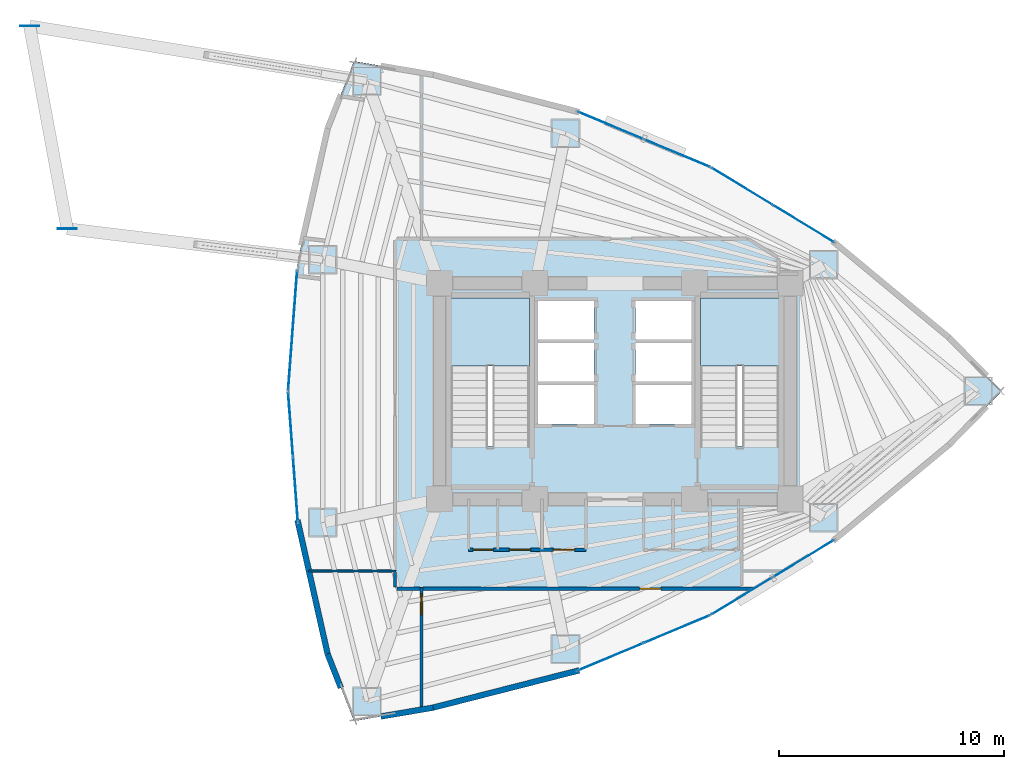
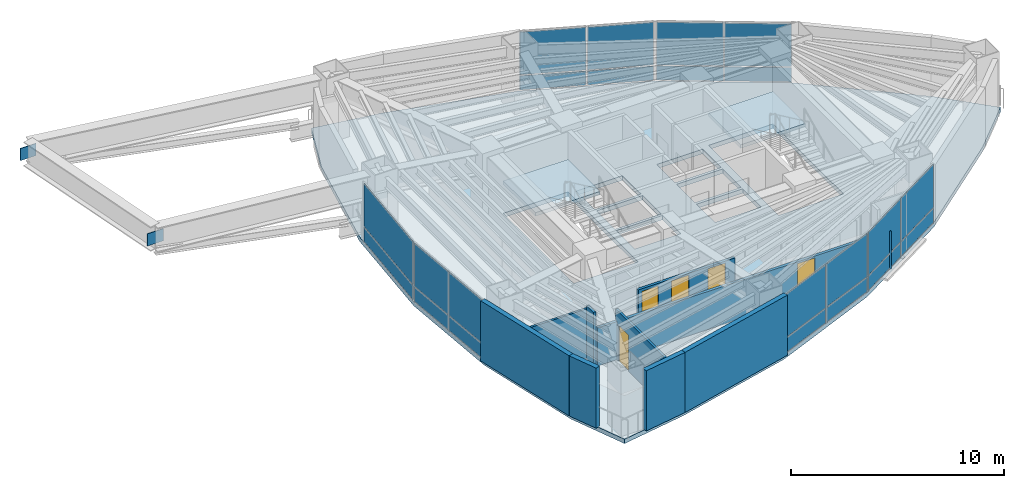
# One storey, part 12 of 17: 24 plates, 10 walls, 5 doors, 3 slabs, 5 openings, 8 elements without a shape of their own.
"""IFC4 building model written with IfcOpenShell, lengths in metres."""

from ifc_helpers import new_model, si_unit, direction, frame, frame_2d, origin, origin_2d, place, context, subcontext, project, spatial, polyline, rectangle, outline, extrude, material, layer, layer_set, type_object, element, fill, aggregate, save


model = new_model("IFC4")

# Units and contexts
model_context = context("Model", 3, precision=1e-05, world=origin(), true_north=direction((0.0, 1.0)))
body_context = subcontext(model_context, "Body", "Model", "MODEL_VIEW")
ifc_project = project(units=[si_unit("LENGTHUNIT", "METRE"), si_unit("AREAUNIT", "SQUARE_METRE"), si_unit("VOLUMEUNIT", "CUBIC_METRE"), si_unit("PLANEANGLEUNIT", "RADIAN"), si_unit("MASSUNIT", "GRAM", prefix="KILO")], contexts=[model_context])

# Site, building, storey
site_placement = place(None, origin())
site = spatial("IfcSite", under=ifc_project, at=site_placement, CompositionType="ELEMENT")
building_placement = place(site_placement, origin())
building = spatial("IfcBuilding", under=site, at=building_placement, Name="Menara Vayukalpa", CompositionType="ELEMENT")
storey_placement = place(building_placement, frame((0.0, 0.0, 100.260009765625)))
storey = spatial("IfcBuildingStorey", under=building, at=storey_placement, Name="L24", CompositionType="ELEMENT", Elevation=100.260009765625)

# Curtain wall, plates
ifc_material_1 = material(Name="Anodised Terracotta Aluminium Alloy 6063-T6", Category="masonry")
ifc_layer_1 = layer(ifc_material_1, 0.14990234375)
ifc_layer_set_1 = layer_set([ifc_layer_1], Name="Anodised Terracotta Aluminium Alloy 6063-T6")
curtain_wall_type = type_object("IfcCurtainWallType", Name="CW-CW3", PredefinedType="USERDEFINED", material=ifc_layer_set_1)
curtain_wall_1_placement = place(storey_placement, origin())
curtain_wall_1 = element("IfcCurtainWall", 1, at=curtain_wall_1_placement, inside=storey, type_object=curtain_wall_type, Name="L24 Mid Rise Terracotta Ribbon Curtain Wall CW3 04", ObjectType="UNITISED", PredefinedType="USERDEFINED")
ifc_material_2 = material(Name="Low-E Double Glazing", Category="glass")
ifc_layer_2 = layer(ifc_material_2, 0.030029296875)
ifc_layer_set_2 = layer_set([ifc_layer_2], Name="Low-E Double Glazing")
plate_type_1 = type_object("IfcPlateType", Name="CWP-CW3", PredefinedType="CURTAIN_PANEL", material=ifc_layer_set_2)
plate_1_placement = place(storey_placement, frame((33.9921875, 29.44873046875, 0.06494140625), z_axis=(0.0, 0.0, 1.0), x_axis=(-0.854663123674, 0.519182959112, 0.0)))
plate_1 = element("IfcPlate", 2, at=plate_1_placement, type_object=plate_type_1, Name="CW3 panel 1.1", PredefinedType="CURTAIN_PANEL", context=body_context, shape_type="SweptSolid", body=[
    extrude(rectangle(XDim=3.1318359375, YDim=0.030029296875, at=origin_2d()), origin(), (0.0, 0.0, 1.0), 0.802490234375),
])
plate_2_placement = place(storey_placement, frame((33.9921875, 29.44873046875, 0.9326171875), z_axis=(0.0, 0.0, 1.0), x_axis=(-0.854663123674, 0.519182959112, 0.0)))
plate_2 = element("IfcPlate", 3, at=plate_2_placement, type_object=plate_type_1, Name="CW3 panel 1.2", PredefinedType="CURTAIN_PANEL", context=body_context, shape_type="SweptSolid", body=[
    extrude(rectangle(XDim=3.1318359375, YDim=0.030029296875, at=origin_2d()), origin(), (0.0, 0.0, 1.0), 2.4423828125),
])
plate_3_placement = place(storey_placement, frame((31.259765625, 31.1083984375, 0.06494140625), z_axis=(0.0, 0.0, 1.0), x_axis=(-0.854663123674, 0.519182959112, 0.0)))
plate_3 = element("IfcPlate", 4, at=plate_3_placement, type_object=plate_type_1, Name="CW3 panel 2.1", PredefinedType="CURTAIN_PANEL", context=body_context, shape_type="SweptSolid", body=[
    extrude(rectangle(XDim=3.1318359375, YDim=0.030029296875, at=origin_2d()), origin(), (0.0, 0.0, 1.0), 0.802490234375),
])
plate_4_placement = place(storey_placement, frame((31.259765625, 31.1083984375, 0.9326171875), z_axis=(0.0, 0.0, 1.0), x_axis=(-0.854663123674, 0.519182959112, 0.0)))
plate_4 = element("IfcPlate", 5, at=plate_4_placement, type_object=plate_type_1, Name="CW3 panel 2.2", PredefinedType="CURTAIN_PANEL", context=body_context, shape_type="SweptSolid", body=[
    extrude(rectangle(XDim=3.1318359375, YDim=0.030029296875, at=origin_2d()), origin(), (0.0, 0.0, 1.0), 2.4423828125),
])
aggregate(curtain_wall_1, [plate_1, plate_2, plate_3, plate_4])

curtain_wall_2_placement = place(storey_placement, origin())
curtain_wall_2 = element("IfcCurtainWall", 6, at=curtain_wall_2_placement, inside=storey, type_object=curtain_wall_type, Name="L24 Mid Rise Terracotta Ribbon Curtain Wall CW3 05", ObjectType="UNITISED", PredefinedType="USERDEFINED")
plate_5_placement = place(storey_placement, frame((28.361328125, 32.58447265625, 0.06494140625), z_axis=(0.0, 0.0, 1.0), x_axis=(-0.922543300632, 0.38589358437, 0.0)))
plate_5 = element("IfcPlate", 7, at=plate_5_placement, type_object=plate_type_1, Name="CW3 panel 1.1", PredefinedType="CURTAIN_PANEL", context=body_context, shape_type="SweptSolid", body=[
    extrude(rectangle(XDim=3.1318359375, YDim=0.030029296875, at=origin_2d()), origin(), (0.0, 0.0, 1.0), 0.802490234375),
])
plate_6_placement = place(storey_placement, frame((28.361328125, 32.58447265625, 0.9326171875), z_axis=(0.0, 0.0, 1.0), x_axis=(-0.922543300632, 0.38589358437, 0.0)))
plate_6 = element("IfcPlate", 8, at=plate_6_placement, type_object=plate_type_1, Name="CW3 panel 1.2", PredefinedType="CURTAIN_PANEL", context=body_context, shape_type="SweptSolid", body=[
    extrude(rectangle(XDim=3.1318359375, YDim=0.030029296875, at=origin_2d()), origin(), (0.0, 0.0, 1.0), 2.4423828125),
])
plate_7_placement = place(storey_placement, frame((25.412109375, 33.818115234375, 0.06494140625), z_axis=(0.0, 0.0, 1.0), x_axis=(-0.922543300632, 0.38589358437, 0.0)))
plate_7 = element("IfcPlate", 9, at=plate_7_placement, type_object=plate_type_1, Name="CW3 panel 2.1", PredefinedType="CURTAIN_PANEL", context=body_context, shape_type="SweptSolid", body=[
    extrude(rectangle(XDim=3.1318359375, YDim=0.030029296875, at=origin_2d()), origin(), (0.0, 0.0, 1.0), 0.802490234375),
])
plate_8_placement = place(storey_placement, frame((25.412109375, 33.818115234375, 0.9326171875), z_axis=(0.0, 0.0, 1.0), x_axis=(-0.922543300632, 0.38589358437, 0.0)))
plate_8 = element("IfcPlate", 10, at=plate_8_placement, type_object=plate_type_1, Name="CW3 panel 2.2", PredefinedType="CURTAIN_PANEL", context=body_context, shape_type="SweptSolid", body=[
    extrude(rectangle(XDim=3.1318359375, YDim=0.030029296875, at=origin_2d()), origin(), (0.0, 0.0, 1.0), 2.4423828125),
])
aggregate(curtain_wall_2, [plate_5, plate_6, plate_7, plate_8])

curtain_wall_3_placement = place(storey_placement, origin())
curtain_wall_3 = element("IfcCurtainWall", 11, at=curtain_wall_3_placement, inside=storey, type_object=curtain_wall_type, Name="L24 Mid Rise Terracotta Ribbon Curtain Wall CW3 10", ObjectType="UNITISED", PredefinedType="USERDEFINED")
plate_9_placement = place(storey_placement, frame((11.271484375, 24.71240234375, 0.06494140625), z_axis=(0.0, 0.0, 1.0), x_axis=(-0.074781722204, -0.997199926807, 0.0)))
plate_9 = element("IfcPlate", 12, at=plate_9_placement, type_object=plate_type_1, Name="CW3 panel 1.1", PredefinedType="CURTAIN_PANEL", context=body_context, shape_type="SweptSolid", body=[
    extrude(rectangle(XDim=5.309814453125, YDim=0.030029296875, at=origin_2d()), origin(), (0.0, 0.0, 1.0), 0.802490234375),
])
plate_10_placement = place(storey_placement, frame((11.271484375, 24.71240234375, 0.9326171875), z_axis=(0.0, 0.0, 1.0), x_axis=(-0.074781722204, -0.997199926807, 0.0)))
plate_10 = element("IfcPlate", 13, at=plate_10_placement, type_object=plate_type_1, Name="CW3 panel 1.2", PredefinedType="CURTAIN_PANEL", context=body_context, shape_type="SweptSolid", body=[
    extrude(rectangle(XDim=5.309814453125, YDim=0.030029296875, at=origin_2d()), origin(), (0.0, 0.0, 1.0), 2.4423828125),
])
aggregate(curtain_wall_3, [plate_9, plate_10])

curtain_wall_4_placement = place(storey_placement, origin())
curtain_wall_4 = element("IfcCurtainWall", 14, at=curtain_wall_4_placement, inside=storey, type_object=curtain_wall_type, Name="L24 Mid Rise Terracotta Ribbon Curtain Wall CW3 11", ObjectType="UNITISED", PredefinedType="USERDEFINED")
plate_11_placement = place(storey_placement, frame((11.178955078125, 20.5224609375, 0.06494140625), z_axis=(0.0, 0.0, 1.0), x_axis=(0.07478528334, -0.997199659745, 0.0)))
plate_11 = element("IfcPlate", 15, at=plate_11_placement, type_object=plate_type_1, Name="CW3 panel 1.1", PredefinedType="CURTAIN_PANEL", context=body_context, shape_type="SweptSolid", body=[
    extrude(rectangle(XDim=2.83349609375, YDim=0.030029296875, at=origin_2d()), origin(), (0.0, 0.0, 1.0), 0.802490234375),
])
plate_12_placement = place(storey_placement, frame((11.178955078125, 20.5224609375, 0.9326171875), z_axis=(0.0, 0.0, 1.0), x_axis=(0.07478528334, -0.997199659745, 0.0)))
plate_12 = element("IfcPlate", 16, at=plate_12_placement, type_object=plate_type_1, Name="CW3 panel 1.2", PredefinedType="CURTAIN_PANEL", context=body_context, shape_type="SweptSolid", body=[
    extrude(rectangle(XDim=2.83349609375, YDim=0.030029296875, at=origin_2d()), origin(), (0.0, 0.0, 1.0), 2.4423828125),
])
plate_13_placement = place(storey_placement, frame((11.395751953125, 17.6318359375, 0.06494140625), z_axis=(0.0, 0.0, 1.0), x_axis=(0.07478528334, -0.997199659745, 0.0)))
plate_13 = element("IfcPlate", 17, at=plate_13_placement, type_object=plate_type_1, Name="CW3 panel 2.1", PredefinedType="CURTAIN_PANEL", context=body_context, shape_type="SweptSolid", body=[
    extrude(rectangle(XDim=2.83349609375, YDim=0.030029296875, at=origin_2d()), origin(), (0.0, 0.0, 1.0), 0.802490234375),
])
plate_14_placement = place(storey_placement, frame((11.395751953125, 17.6318359375, 0.9326171875), z_axis=(0.0, 0.0, 1.0), x_axis=(0.07478528334, -0.997199659745, 0.0)))
plate_14 = element("IfcPlate", 18, at=plate_14_placement, type_object=plate_type_1, Name="CW3 panel 2.2", PredefinedType="CURTAIN_PANEL", context=body_context, shape_type="SweptSolid", body=[
    extrude(rectangle(XDim=2.83349609375, YDim=0.030029296875, at=origin_2d()), origin(), (0.0, 0.0, 1.0), 2.4423828125),
])
aggregate(curtain_wall_4, [plate_11, plate_12, plate_13, plate_14])

curtain_wall_5_placement = place(storey_placement, origin())
curtain_wall_5 = element("IfcCurtainWall", 19, at=curtain_wall_5_placement, inside=storey, type_object=curtain_wall_type, Name="L24 Mid Rise Terracotta Ribbon Curtain Wall CW3 16", ObjectType="UNITISED", PredefinedType="USERDEFINED")
plate_15_placement = place(storey_placement, frame((25.412109375, 10.181884765625, 0.06494140625), z_axis=(0.0, 0.0, 1.0), x_axis=(0.922543300632, 0.38589358437, 0.0)))
plate_15 = element("IfcPlate", 20, at=plate_15_placement, type_object=plate_type_1, Name="CW3 panel 1.1", PredefinedType="CURTAIN_PANEL", context=body_context, shape_type="SweptSolid", body=[
    extrude(rectangle(XDim=3.1318359375, YDim=0.030029296875, at=origin_2d()), origin(), (0.0, 0.0, 1.0), 0.802490234375),
])
plate_16_placement = place(storey_placement, frame((25.412109375, 10.181884765625, 0.9326171875), z_axis=(0.0, 0.0, 1.0), x_axis=(0.922543300632, 0.38589358437, 0.0)))
plate_16 = element("IfcPlate", 21, at=plate_16_placement, type_object=plate_type_1, Name="CW3 panel 1.2", PredefinedType="CURTAIN_PANEL", context=body_context, shape_type="SweptSolid", body=[
    extrude(rectangle(XDim=3.1318359375, YDim=0.030029296875, at=origin_2d()), origin(), (0.0, 0.0, 1.0), 2.4423828125),
])
plate_17_placement = place(storey_placement, frame((28.361328125, 11.41552734375, 0.06494140625), z_axis=(0.0, 0.0, 1.0), x_axis=(0.922543300632, 0.38589358437, 0.0)))
plate_17 = element("IfcPlate", 22, at=plate_17_placement, type_object=plate_type_1, Name="CW3 panel 2.1", PredefinedType="CURTAIN_PANEL", context=body_context, shape_type="SweptSolid", body=[
    extrude(rectangle(XDim=3.1318359375, YDim=0.030029296875, at=origin_2d()), origin(), (0.0, 0.0, 1.0), 0.802490234375),
])
plate_18_placement = place(storey_placement, frame((28.361328125, 11.41552734375, 0.9326171875), z_axis=(0.0, 0.0, 1.0), x_axis=(0.922543300632, 0.38589358437, 0.0)))
plate_18 = element("IfcPlate", 23, at=plate_18_placement, type_object=plate_type_1, Name="CW3 panel 2.2", PredefinedType="CURTAIN_PANEL", context=body_context, shape_type="SweptSolid", body=[
    extrude(rectangle(XDim=3.1318359375, YDim=0.030029296875, at=origin_2d()), origin(), (0.0, 0.0, 1.0), 2.4423828125),
])
aggregate(curtain_wall_5, [plate_15, plate_16, plate_17, plate_18])

curtain_wall_6_placement = place(storey_placement, origin())
curtain_wall_6 = element("IfcCurtainWall", 24, at=curtain_wall_6_placement, inside=storey, type_object=curtain_wall_type, Name="L24 Mid Rise Terracotta Ribbon Curtain Wall CW3 17", ObjectType="UNITISED", PredefinedType="USERDEFINED")
plate_19_placement = place(storey_placement, frame((31.259765625, 12.8916015625, 0.06494140625), z_axis=(0.0, 0.0, 1.0), x_axis=(0.854663123674, 0.519182959112, 0.0)))
plate_19 = element("IfcPlate", 25, at=plate_19_placement, type_object=plate_type_1, Name="CW3 panel 1.1", PredefinedType="CURTAIN_PANEL", context=body_context, shape_type="SweptSolid", body=[
    extrude(rectangle(XDim=3.1318359375, YDim=0.030029296875, at=origin_2d()), origin(), (0.0, 0.0, 1.0), 0.802490234375),
])
plate_20_placement = place(storey_placement, frame((31.259765625, 12.8916015625, 0.9326171875), z_axis=(0.0, 0.0, 1.0), x_axis=(0.854663123674, 0.519182959112, 0.0)))
plate_20 = element("IfcPlate", 26, at=plate_20_placement, type_object=plate_type_1, Name="CW3 panel 1.2", PredefinedType="CURTAIN_PANEL", context=body_context, shape_type="SweptSolid", body=[
    extrude(rectangle(XDim=3.1318359375, YDim=0.030029296875, at=origin_2d()), origin(), (0.0, 0.0, 1.0), 2.4423828125),
])
plate_21_placement = place(storey_placement, frame((33.9921875, 14.55126953125, 0.06494140625), z_axis=(0.0, 0.0, 1.0), x_axis=(0.854663123674, 0.519182959112, 0.0)))
plate_21 = element("IfcPlate", 27, at=plate_21_placement, type_object=plate_type_1, Name="CW3 panel 2.1", PredefinedType="CURTAIN_PANEL", context=body_context, shape_type="SweptSolid", body=[
    extrude(rectangle(XDim=3.1318359375, YDim=0.030029296875, at=origin_2d()), origin(), (0.0, 0.0, 1.0), 0.802490234375),
])
plate_22_placement = place(storey_placement, frame((33.9921875, 14.55126953125, 0.9326171875), z_axis=(0.0, 0.0, 1.0), x_axis=(0.854663123674, 0.519182959112, 0.0)))
plate_22 = element("IfcPlate", 28, at=plate_22_placement, type_object=plate_type_1, Name="CW3 panel 2.2", PredefinedType="CURTAIN_PANEL", context=body_context, shape_type="SweptSolid", body=[
    extrude(rectangle(XDim=3.1318359375, YDim=0.030029296875, at=origin_2d()), origin(), (0.0, 0.0, 1.0), 2.4423828125),
])
aggregate(curtain_wall_6, [plate_19, plate_20, plate_21, plate_22])

# Plates
ifc_material_3 = material(Name="Steel S355", Category="steel")
ifc_layer_3 = layer(ifc_material_3, 0.031982421875)
ifc_layer_set_3 = layer_set([ifc_layer_3], Name="Steel S355")
plate_type_2 = type_object("IfcPlateType", Name="PLT-SBN1", PredefinedType="USERDEFINED", material=ifc_layer_set_3)
for number, where, z_axis, x_axis, name in (
    (29, (-0.4287109375, 38.2373046875, 2.39013671875), (0.0, 0.0, 1.0), (1.0, 0.0, 0.0), "L24 SB2 Support Node Gusset Plate 04"),
    (30, (1.239990234375, 29.22314453125, 2.39013671875), (0.0, 0.0, 1.0), (1.0, 0.0, 0.0), "L24 SB2 Support Node Gusset Plate 05"),
):
    element("IfcPlate", number, at=place(storey_placement, frame(where, z_axis=z_axis, x_axis=x_axis)), inside=storey, type_object=plate_type_2, Name=name, ObjectType="GUSSET_PLATE", PredefinedType="USERDEFINED", context=body_context, shape_type="SweptSolid", body=[
        extrude(rectangle(XDim=0.860107421875, YDim=0.031982421875, at=origin_2d()), origin(), (0.0, 0.0, 1.0), 0.699951171875),
    ])

# Slab
ifc_material_4 = material(Name="Concrete C40/50", Category="concrete")
ifc_layer_4 = layer(ifc_material_4, 0.25)
ifc_layer_set_4 = layer_set([ifc_layer_4], Name="Concrete C40/50")
slab_type_1 = type_object("IfcSlabType", Name="SLB-FL250", PredefinedType="FLOOR", material=ifc_layer_set_4)
slab_1_placement = place(storey_placement, frame((0.0, 0.0, -0.25)))
element("IfcSlab", 31, at=slab_1_placement, inside=storey, type_object=slab_type_1, Name="L24 Structural Floor Slab", PredefinedType="FLOOR", context=body_context, shape_type="SweptSolid", body=[
    extrude(outline(polyline([(40.4677734375, 19.6123046875), (42.81201171875, 22.0), (40.4677734375, 24.3876953125), (35.385986328125, 28.601806640625), (29.865966796875, 31.955078125), (23.907470703125, 34.447509765625), (17.510498046875, 36.0791015625), (13.993896484375, 36.676025390625), (12.822021484375, 33.69140625), (11.506591796875, 27.845703125), (11.068115234375, 22.0), (11.506591796875, 16.154296875), (12.822021484375, 10.30859375), (13.993896484375, 7.323974609375), (17.510498046875, 7.9208984375), (23.907470703125, 9.552490234375), (29.865966796875, 12.044921875), (35.385986328125, 15.398193359375), (40.4677734375, 19.6123046875)]), holes=[polyline([(21.800048828125, 19.550048828125), (21.800048828125, 26.14990234375), (18.300048828125, 26.14990234375), (18.300048828125, 19.550048828125), (21.800048828125, 19.550048828125)]), polyline([(32.89990234375, 19.550048828125), (32.89990234375, 26.14990234375), (29.39990234375, 26.14990234375), (29.39990234375, 19.550048828125), (32.89990234375, 19.550048828125)]), polyline([(22.179931640625, 20.550048828125), (24.679931640625, 20.550048828125), (24.679931640625, 22.27001953125), (22.179931640625, 22.27001953125), (22.179931640625, 20.550048828125)]), polyline([(26.52001953125, 20.550048828125), (29.02001953125, 20.550048828125), (29.02001953125, 22.27001953125), (26.52001953125, 22.27001953125), (26.52001953125, 20.550048828125)]), polyline([(22.179931640625, 22.419921875), (24.679931640625, 22.419921875), (24.679931640625, 24.139892578125), (22.179931640625, 24.139892578125), (22.179931640625, 22.419921875)]), polyline([(22.179931640625, 24.2900390625), (24.679931640625, 24.2900390625), (24.679931640625, 26.010009765625), (22.179931640625, 26.010009765625), (22.179931640625, 24.2900390625)]), polyline([(26.52001953125, 24.2900390625), (29.02001953125, 24.2900390625), (29.02001953125, 26.010009765625), (26.52001953125, 26.010009765625), (26.52001953125, 24.2900390625)]), polyline([(26.52001953125, 22.419921875), (29.02001953125, 22.419921875), (29.02001953125, 24.139892578125), (26.52001953125, 24.139892578125), (26.52001953125, 22.419921875)])]), origin(), (0.0, 0.0, 1.0), 0.25),
])

# Stair, slab
ifc_material_5 = material(Name="Precast Concrete C40/50", Category="concrete")
stair_type = type_object("IfcStairType", Name="STR-T04", PredefinedType="DOUBLE_RETURN_STAIR", material=ifc_material_5)
stair_1_placement = place(storey_placement, origin())
stair_1 = element("IfcStair", 32, at=stair_1_placement, inside=storey, type_object=stair_type, Name="L24 Core Exit Stair ST-1", PredefinedType="DOUBLE_RETURN_STAIR")
ifc_material_6 = material(Name="Precast Concrete C40/50", Category="concrete")
ifc_layer_5 = layer(ifc_material_6, 0.199951171875)
ifc_layer_set_5 = layer_set([ifc_layer_5], Name="Precast Concrete C40/50")
slab_type_2 = type_object("IfcSlabType", Name="SLB-LND200", PredefinedType="LANDING", material=ifc_layer_set_5)
slab_2_placement = place(storey_placement, frame((0.0, 0.0, 1.659912109375)))
slab_2 = element("IfcSlab", 33, at=slab_2_placement, type_object=slab_type_2, Name="ST-1 landing 1", PredefinedType="LANDING", context=body_context, shape_type="SweptSolid", body=[
    extrude(outline(polyline([(21.800048828125, 23.1298828125), (21.800048828125, 26.14990234375), (18.300048828125, 26.14990234375), (18.300048828125, 23.1298828125), (21.800048828125, 23.1298828125)])), origin(), (0.0, 0.0, 1.0), 0.2001953125),
])
aggregate(stair_1, [slab_2])

stair_2_placement = place(storey_placement, origin())
stair_2 = element("IfcStair", 34, at=stair_2_placement, inside=storey, type_object=stair_type, Name="L24 Core Exit Stair ST-2", PredefinedType="DOUBLE_RETURN_STAIR")
slab_3_placement = place(storey_placement, frame((0.0, 0.0, 1.659912109375)))
slab_3 = element("IfcSlab", 35, at=slab_3_placement, type_object=slab_type_2, Name="ST-2 landing 1", PredefinedType="LANDING", context=body_context, shape_type="SweptSolid", body=[
    extrude(outline(polyline([(32.89990234375, 23.1298828125), (32.89990234375, 26.14990234375), (29.39990234375, 26.14990234375), (29.39990234375, 23.1298828125), (32.89990234375, 23.1298828125)])), origin(), (0.0, 0.0, 1.0), 0.2001953125),
])
aggregate(stair_2, [slab_3])

# Walls
ifc_material_7 = material(Name="Insulated Precast Concrete C40/50", Category="concrete")
ifc_layer_6 = layer(ifc_material_7, 0.260009765625)
ifc_layer_set_6 = layer_set([ifc_layer_6], Name="Insulated Precast Concrete C40/50")
wall_type_1 = type_object("IfcWallType", Name="WAL-EXT260", PredefinedType="PARTITIONING", material=ifc_layer_set_6)
wall_1_placement = place(storey_placement, frame((12.822021484375, 10.30859375, 0.0), z_axis=(0.0, 0.0, 1.0), x_axis=(-0.219535044336, 0.975604614743, 0.0)))
element("IfcWall", 36, at=wall_1_placement, inside=storey, type_object=wall_type_1, Name="L24 Perimeter Terracotta Pier Wall 12", PredefinedType="PARTITIONING", context=body_context, shape_type="SweptSolid", body=[
    extrude(rectangle(XDim=6.10205078125, YDim=0.260009765625, at=frame_2d((3.051025390625, 0.0))), origin(), (0.0, 0.0, 1.0), 3.43994140625),
])
wall_2_placement = place(storey_placement, frame((13.411865234375, 8.806396484375, 0.0), z_axis=(0.0, 0.0, 1.0), x_axis=(-0.365488551504, 0.930815835018, 0.0)))
element("IfcWall", 37, at=wall_2_placement, inside=storey, type_object=wall_type_1, Name="L24 Perimeter Terracotta Pier Wall 13", PredefinedType="PARTITIONING", context=body_context, shape_type="SweptSolid", body=[
    extrude(rectangle(XDim=1.61376953125, YDim=0.260009765625, at=frame_2d((0.806884765625, 0.0))), origin(), (0.0, 0.0, 1.0), 3.43994140625),
])
wall_3_placement = place(storey_placement, frame((17.516357421875, 7.921875, 0.0), z_axis=(0.0, 0.0, 1.0), x_axis=(-0.985905269947, -0.167304508875, 0.0)))
element("IfcWall", 38, at=wall_3_placement, inside=storey, type_object=wall_type_1, Name="L24 Perimeter Terracotta Pier Wall 14", PredefinedType="PARTITIONING", context=body_context, shape_type="SweptSolid", body=[
    extrude(rectangle(XDim=2.356689453125, YDim=0.260009765625, at=frame_2d((1.17822265625, 0.0))), origin(), (0.0, 0.0, 1.0), 3.43994140625),
])
wall_4_placement = place(storey_placement, frame((24.013916015625, 9.57958984375, 0.0), z_axis=(0.0, 0.0, 1.0), x_axis=(-0.968981437296, -0.247133514876, 0.0)))
element("IfcWall", 39, at=wall_4_placement, inside=storey, type_object=wall_type_1, Name="L24 Perimeter Terracotta Pier Wall 15", PredefinedType="PARTITIONING", context=body_context, shape_type="SweptSolid", body=[
    extrude(rectangle(XDim=6.717529296875, YDim=0.260009765625, at=frame_2d((3.35888671875, 0.0))), origin(), (0.0, 0.0, 1.0), 3.43994140625),
])
ifc_material_8 = material(Name="Acoustic Mineral Stud Partition", Category="masonry")
ifc_layer_7 = layer(ifc_material_8, 0.110107421875)
ifc_layer_set_7 = layer_set([ifc_layer_7], Name="Acoustic Mineral Stud Partition")
wall_type_2 = type_object("IfcWallType", Name="WAL-PT110", PredefinedType="PARTITIONING", material=ifc_layer_set_7)
wall_5_placement = place(storey_placement, frame((11.981201171875, 14.0, 0.0), z_axis=(0.0, 0.0, 1.0), x_axis=(1.0, 0.0, 0.0)))
element("IfcWall", 40, at=wall_5_placement, inside=storey, type_object=wall_type_2, Name="L24 Interior Partition IW-L24-RDIV03", PredefinedType="PARTITIONING", context=body_context, shape_type="SweptSolid", body=[
    extrude(rectangle(XDim=3.888916015625, YDim=0.110107421875, at=frame_2d((1.9443359375, 0.0))), origin(), (0.0, 0.0, 1.0), 2.820068359375),
])

# Wall, opening, door
ifc_material_9 = material(Name="Gypsum Drywall Steel Stud Assembly", Category="steel")
ifc_layer_8 = layer(ifc_material_9, 0.125)
ifc_layer_set_8 = layer_set([ifc_layer_8], Name="Gypsum Drywall Steel Stud Assembly")
wall_type_3 = type_object("IfcWallType", Name="WAL-PT125", PredefinedType="PARTITIONING", material=ifc_layer_set_8)
wall_6_placement = place(storey_placement, frame((17.0, 7.82421875, 0.0), z_axis=(0.0, 0.0, 1.0), x_axis=(0.0, 1.0, 0.0)))
wall_6 = element("IfcWall", 41, at=wall_6_placement, inside=storey, type_object=wall_type_3, Name="L24 Interior Partition IW-L24-RDIV01", PredefinedType="PARTITIONING", context=body_context, shape_type="SweptSolid", body=[
    extrude(rectangle(XDim=5.435791015625, YDim=0.125, at=frame_2d((2.7177734375, 0.0))), origin(), (0.0, 0.0, 1.0), 2.820068359375),
])
opening_1_placement = place(wall_6_placement, frame((4.23583984375, 0.0, 0.0)))
opening_1 = element("IfcOpeningElement", 42, at=opening_1_placement, cuts=wall_6, Name="Opening ID6", PredefinedType="OPENING", context=body_context, shape_type="SweptSolid", body=[
    extrude(rectangle(XDim=0.919921875, YDim=2.050048828125, at=frame_2d((0.4599609375, 1.02490234375))), frame((0.0, 0.072509765625, 0.0), z_axis=(0.0, -1.0, 0.0), x_axis=(1.0, 0.0, 0.0)), (0.0, 0.0, 1.0), 0.14501953125),
])
ifc_material_10 = material(Name="Acoustic Hardwood Veneer Timber Door", Category="wood")
door_type_1 = type_object("IfcDoorType", Name="DR-INT92", OperationType="NOTDEFINED", PredefinedType="DOOR", material=ifc_material_10)
door_1_placement = place(opening_1_placement, origin())
door_1 = element("IfcDoor", 43, at=door_1_placement, inside=storey, type_object=door_type_1, Name="L24 Interior Door DR-L24-STE02", OperationType="SINGLE_SWING_LEFT", OverallHeight=2.050048828125, OverallWidth=0.919921875, PredefinedType="DOOR", context=body_context, shape_type="SweptSolid", body=[
    extrude(rectangle(XDim=0.919921875, YDim=2.050048828125, at=frame_2d((0.4599609375, 1.02490234375))), frame((0.0, 0.02490234375, 0.0), z_axis=(0.0, -1.0, 0.0), x_axis=(1.0, 0.0, 0.0)), (0.0, 0.0, 1.0), 0.050048828125),
])
fill(opening_1, door_1)

# Wall, openings, doors
ifc_material_11 = material(Name="Gypsum Drywall Acoustic Stud Assembly", Category="masonry")
ifc_layer_9 = layer(ifc_material_11, 0.14501953125)
ifc_layer_set_9 = layer_set([ifc_layer_9], Name="Gypsum Drywall Acoustic Stud Assembly")
wall_type_4 = type_object("IfcWallType", Name="WAL-PT150", PredefinedType="PARTITIONING", material=ifc_layer_set_9)
wall_7_placement = place(storey_placement, frame((19.10009765625, 14.949951171875, 0.0), z_axis=(0.0, 0.0, 1.0), x_axis=(1.0, 0.0, 0.0)))
wall_7 = element("IfcWall", 44, at=wall_7_placement, inside=storey, type_object=wall_type_4, Name="L24 Interior Partition IW-L24-SVCS-W", PredefinedType="PARTITIONING", context=body_context, shape_type="SweptSolid", body=[
    extrude(rectangle(XDim=5.219970703125, YDim=0.14501953125, at=frame_2d((2.60986328125, 0.0))), origin(), (0.0, 0.0, 1.0), 2.169921875),
])
opening_2_placement = place(wall_7_placement, frame((0.199951171875, 0.0, 0.0)))
opening_2 = element("IfcOpeningElement", 45, at=opening_2_placement, cuts=wall_7, Name="Opening ID7", PredefinedType="OPENING", context=body_context, shape_type="SweptSolid", body=[
    extrude(rectangle(XDim=0.89990234375, YDim=2.02001953125, at=frame_2d((0.449951171875, 1.010009765625))), frame((0.0, 0.08251953125, 0.0), z_axis=(0.0, -1.0, 0.0), x_axis=(1.0, 0.0, 0.0)), (0.0, 0.0, 1.0), 0.1650390625),
])
opening_3_placement = place(wall_7_placement, frame((1.804931640625, 0.0, 0.0)))
opening_3 = element("IfcOpeningElement", 46, at=opening_3_placement, cuts=wall_7, Name="Opening ID5", PredefinedType="OPENING", context=body_context, shape_type="SweptSolid", body=[
    extrude(rectangle(XDim=0.949951171875, YDim=2.06005859375, at=frame_2d((0.47509765625, 1.030029296875))), frame((0.0, 0.08251953125, 0.0), z_axis=(0.0, -1.0, 0.0), x_axis=(1.0, 0.0, 0.0)), (0.0, 0.0, 1.0), 0.1650390625),
])
opening_4_placement = place(wall_7_placement, frame((3.764892578125, 0.0, 0.0)))
opening_4 = element("IfcOpeningElement", 47, at=opening_4_placement, cuts=wall_7, Name="Opening ID5", PredefinedType="OPENING", context=body_context, shape_type="SweptSolid", body=[
    extrude(rectangle(XDim=0.949951171875, YDim=2.06005859375, at=frame_2d((0.47509765625, 1.030029296875))), frame((0.0, 0.08251953125, 0.0), z_axis=(0.0, -1.0, 0.0), x_axis=(1.0, 0.0, 0.0)), (0.0, 0.0, 1.0), 0.1650390625),
])
ifc_material_12 = material(Name="Acoustic Hardwood Veneer Timber Door", Category="wood")
door_type_2 = type_object("IfcDoorType", Name="DR-INT95", OperationType="NOTDEFINED", PredefinedType="DOOR", material=ifc_material_12)
door_2_placement = place(opening_3_placement, origin())
door_2 = element("IfcDoor", 48, at=door_2_placement, inside=storey, type_object=door_type_2, Name="L24 Interior Door DR-L24-AWC", OperationType="SINGLE_SWING_LEFT", OverallHeight=2.06005859375, OverallWidth=0.949951171875, PredefinedType="DOOR", context=body_context, shape_type="SweptSolid", body=[
    extrude(rectangle(XDim=0.949951171875, YDim=2.06005859375, at=frame_2d((0.47509765625, 1.030029296875))), frame((0.0, 0.02490234375, 0.0), z_axis=(0.0, -1.0, 0.0), x_axis=(1.0, 0.0, 0.0)), (0.0, 0.0, 1.0), 0.050048828125),
])
fill(opening_3, door_2)
door_3_placement = place(opening_4_placement, origin())
door_3 = element("IfcDoor", 49, at=door_3_placement, inside=storey, type_object=door_type_2, Name="L24 Interior Door DR-L24-SWC", OperationType="SINGLE_SWING_RIGHT", OverallHeight=2.06005859375, OverallWidth=0.949951171875, PredefinedType="DOOR", context=body_context, shape_type="SweptSolid", body=[
    extrude(rectangle(XDim=0.949951171875, YDim=2.06005859375, at=frame_2d((0.47509765625, 1.030029296875))), frame((0.0, 0.02490234375, 0.0), z_axis=(0.0, -1.0, 0.0), x_axis=(1.0, 0.0, 0.0)), (0.0, 0.0, 1.0), 0.050048828125),
])
fill(opening_4, door_3)
ifc_material_13 = material(Name="Powder-Coated Steel Riser Access Door", Category="steel")
door_type_3 = type_object("IfcDoorType", Name="DR-RISER", OperationType="NOTDEFINED", PredefinedType="DOOR", material=ifc_material_13)
door_4_placement = place(opening_2_placement, origin())
door_4 = element("IfcDoor", 50, at=door_4_placement, inside=storey, type_object=door_type_3, Name="L24 Interior Door DR-L24-ELR", OperationType="SINGLE_SWING_RIGHT", OverallHeight=2.02001953125, OverallWidth=0.89990234375, PredefinedType="DOOR", context=body_context, shape_type="SweptSolid", body=[
    extrude(rectangle(XDim=0.89990234375, YDim=2.02001953125, at=frame_2d((0.449951171875, 1.010009765625))), frame((0.0, 0.02490234375, 0.0), z_axis=(0.0, -1.0, 0.0), x_axis=(1.0, 0.0, 0.0)), (0.0, 0.0, 1.0), 0.050048828125),
])
fill(opening_2, door_4)

# Walls
wall_8_placement = place(storey_placement, frame((15.820068359375, 13.929931640625, 0.0), z_axis=(0.0, 0.0, 1.0), x_axis=(0.0, -1.0, 0.0)))
element("IfcWall", 51, at=wall_8_placement, inside=storey, type_object=wall_type_4, Name="L24 Interior Partition IW-L24-CRM02-1", PredefinedType="PARTITIONING", context=body_context, shape_type="SweptSolid", body=[
    extrude(rectangle(XDim=0.639892578125, YDim=0.14501953125, at=frame_2d((0.31982421875, 0.0))), origin(), (0.0, 0.0, 1.0), 3.02001953125),
])
wall_9_placement = place(storey_placement, frame((15.89990234375, 13.2099609375, 0.0), z_axis=(0.0, 0.0, 1.0), x_axis=(1.0, 0.0, 0.0)))
element("IfcWall", 52, at=wall_9_placement, inside=storey, type_object=wall_type_4, Name="L24 Interior Partition IW-L24-CRM02-2", PredefinedType="PARTITIONING", context=body_context, shape_type="SweptSolid", body=[
    extrude(rectangle(XDim=1.030029296875, YDim=0.14501953125, at=frame_2d((0.51513671875, 0.0))), origin(), (0.0, 0.0, 1.0), 2.169921875),
])

# Wall, opening, door
wall_10_placement = place(storey_placement, frame((17.070068359375, 13.2099609375, 0.0), z_axis=(0.0, 0.0, 1.0), x_axis=(1.0, 0.0, 0.0)))
wall_10 = element("IfcWall", 53, at=wall_10_placement, inside=storey, type_object=wall_type_4, Name="L24 Interior Partition IW-L24-CRM03-1", PredefinedType="PARTITIONING", context=body_context, shape_type="SweptSolid", body=[
    extrude(rectangle(XDim=14.7138671875, YDim=0.14501953125, at=frame_2d((7.35693359375, 0.0))), origin(), (0.0, 0.0, 1.0), 2.169921875),
])
opening_5_placement = place(wall_10_placement, frame((9.631591796875, 0.0, 0.0)))
opening_5 = element("IfcOpeningElement", 54, at=opening_5_placement, cuts=wall_10, Name="Opening ID5", PredefinedType="OPENING", context=body_context, shape_type="SweptSolid", body=[
    extrude(rectangle(XDim=0.949951171875, YDim=2.06005859375, at=frame_2d((0.47509765625, 1.030029296875))), frame((0.0, 0.08251953125, 0.0), z_axis=(0.0, -1.0, 0.0), x_axis=(1.0, 0.0, 0.0)), (0.0, 0.0, 1.0), 0.1650390625),
])
door_5_placement = place(opening_5_placement, origin())
door_5 = element("IfcDoor", 55, at=door_5_placement, inside=storey, type_object=door_type_2, Name="L24 Interior Door DR-L24-RM03", OperationType="SINGLE_SWING_RIGHT", OverallHeight=2.06005859375, OverallWidth=0.949951171875, PredefinedType="DOOR", context=body_context, shape_type="SweptSolid", body=[
    extrude(rectangle(XDim=0.949951171875, YDim=2.06005859375, at=frame_2d((0.47509765625, 1.030029296875))), frame((0.0, 0.02490234375, 0.0), z_axis=(0.0, -1.0, 0.0), x_axis=(1.0, 0.0, 0.0)), (0.0, 0.0, 1.0), 0.050048828125),
])
fill(opening_5, door_5)

save(model, "model.ifc")
